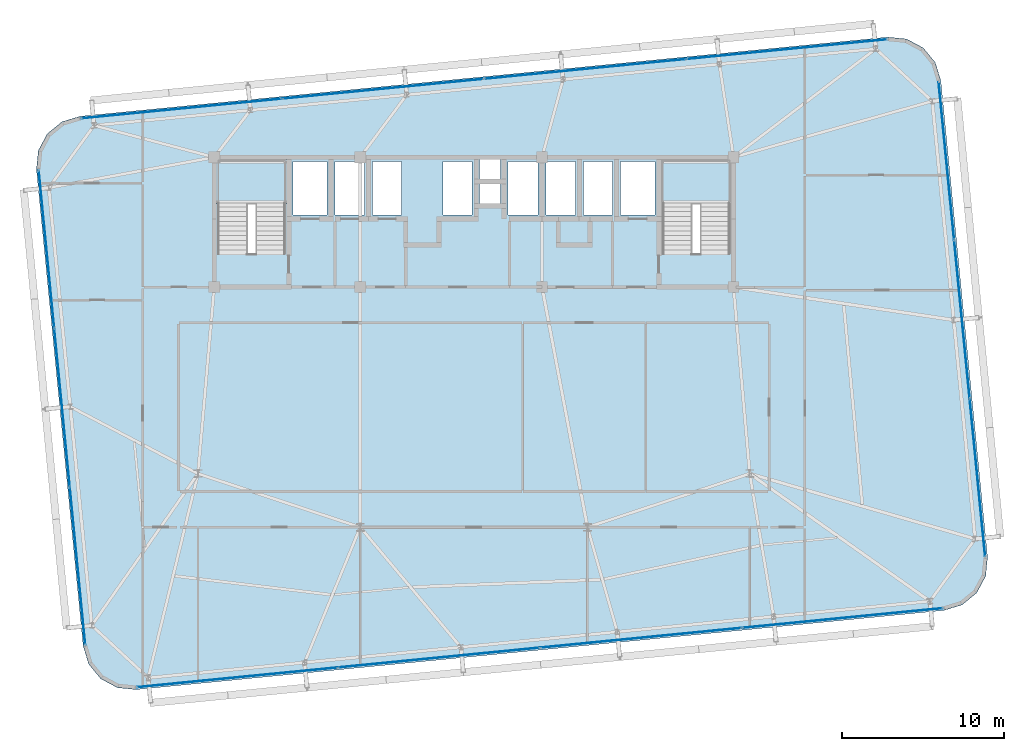
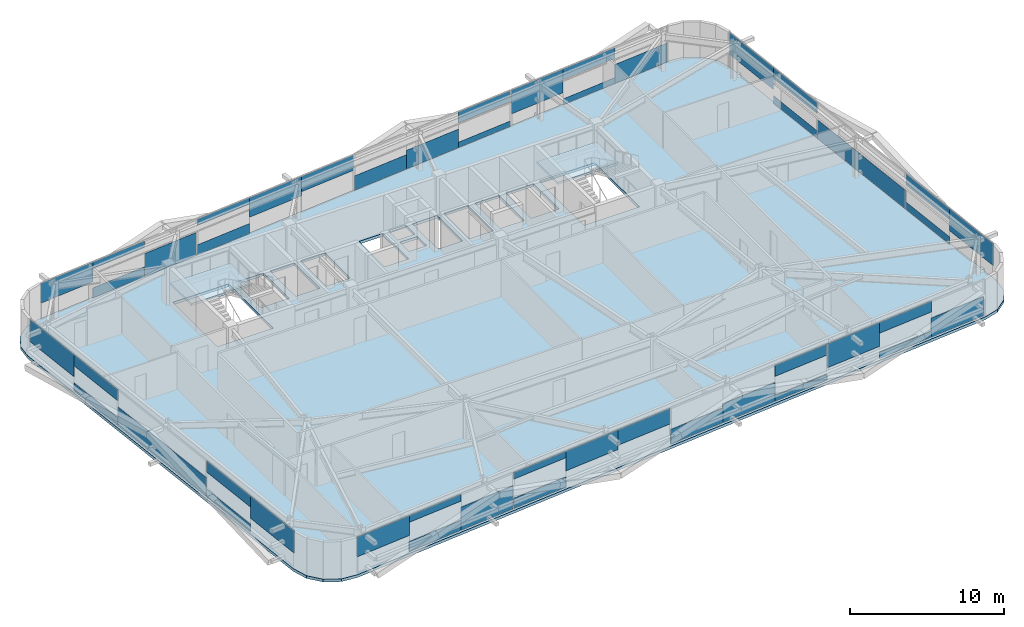
# One storey, part 32 of 47: 46 plates, 3 slabs, 6 elements without a shape of their own.
"""IFC4 building model written with IfcOpenShell, lengths in metres."""

import ifcopenshell
import ifcopenshell.guid

model = None  # the IFC model being written
_history = None  # IfcOwnerHistory: only IFC2X3 demands one
_inside = {}  # id of a spatial element -> (the spatial element, [elements in it])
_under = {}  # id of a project, library or spatial element -> (it, [spatial elements below it])
_declared = {}  # id of a project -> (the project, [libraries it declares])
_typed = {}  # id of a type object -> (the type object, [elements of that type])
_made_of = {}  # id of a material, layer set ... -> (it, [elements and type objects made of it])


def new_model(schema):
    """Start an empty IFC model of exactly this schema.

    Asked for "IFC4X3", IfcOpenShell would pick the latest addendum, in which some entities
    have other attributes; the version numbers below select the first issue.
    IFC2X3 requires an IfcOwnerHistory on every rooted entity: one is made here for all.
    """
    global model, _history
    if schema == "IFC4X3":
        model = ifcopenshell.file(schema_version=(4, 3, 0, 0))
    else:
        model = ifcopenshell.file(schema=schema)
    _inside.clear()
    _under.clear()
    _declared.clear()
    _typed.clear()
    _made_of.clear()
    _history = None
    if model.schema == "IFC2X3":
        org = make("IfcOrganization", Name="unknown")
        user = make(
            "IfcPersonAndOrganization",
            ThePerson=make("IfcPerson", FamilyName="unknown"),
            TheOrganization=org,
        )
        app = make(
            "IfcApplication",
            ApplicationDeveloper=org,
            Version="unknown",
            ApplicationFullName="unknown",
            ApplicationIdentifier="unknown",
        )
        _history = make(
            "IfcOwnerHistory",
            OwningUser=user,
            OwningApplication=app,
            ChangeAction="ADDED",
            CreationDate=0,
        )
    return model


def make(cls, **values):
    """One entity of the class cls with the attributes given. An attribute that is None is left unset."""
    return model.create_entity(
        cls, **{name: value for name, value in values.items() if value is not None}
    )


def rooted(cls, **values):
    """An entity with a GlobalId (a new one), such as an element, a storey or a relation."""
    return make(cls, GlobalId=ifcopenshell.guid.new(), OwnerHistory=_history, **values)


def si_unit(unit_type, name, prefix=None):
    """IfcSIUnit, for example si_unit("LENGTHUNIT", "METRE", prefix="MILLI")."""
    return make("IfcSIUnit", UnitType=unit_type, Prefix=prefix, Name=name)


def assignment(units):
    """IfcUnitAssignment: the units of a project."""
    return None if units is None else make("IfcUnitAssignment", Units=units)


def point(xyz):
    """IfcCartesianPoint."""
    return None if xyz is None else make("IfcCartesianPoint", Coordinates=xyz)


def direction(xyz):
    """IfcDirection."""
    return None if xyz is None else make("IfcDirection", DirectionRatios=xyz)


def frame(location, z_axis=None, x_axis=None):
    """IfcAxis2Placement3D, a coordinate frame: its origin and axes. An axis left out is left unset."""
    return make(
        "IfcAxis2Placement3D",
        Location=point(location),
        Axis=direction(z_axis),
        RefDirection=direction(x_axis),
    )


def frame_2d(location, x_axis=None):
    """IfcAxis2Placement2D, a coordinate frame in the plane: its origin and x axis."""
    return make(
        "IfcAxis2Placement2D", Location=point(location), RefDirection=direction(x_axis)
    )


def origin():
    """The frame at (0, 0, 0) with its axes left unset."""
    return frame((0.0, 0.0, 0.0))


def origin_2d():
    """The frame at (0, 0) in the plane with its x axis left unset."""
    return frame_2d((0.0, 0.0))


def place(relative_to, where):
    """IfcLocalPlacement: puts the frame where relative to a parent placement (None: the world)."""
    return make(
        "IfcLocalPlacement", PlacementRelTo=relative_to, RelativePlacement=where
    )


def context(
    kind, dimensions, precision=None, world=None, true_north=None, identifier=None
):
    """IfcGeometricRepresentationContext, for example the 3D "Model" context."""
    return make(
        "IfcGeometricRepresentationContext",
        ContextIdentifier=identifier,
        ContextType=kind,
        CoordinateSpaceDimension=dimensions,
        Precision=precision,
        WorldCoordinateSystem=world,
        TrueNorth=true_north,
    )


def subcontext(parent, identifier, kind, view, scale=None):
    """IfcGeometricRepresentationSubContext, for example "Body" below "Model"."""
    return make(
        "IfcGeometricRepresentationSubContext",
        ContextIdentifier=identifier,
        ContextType=kind,
        ParentContext=parent,
        TargetScale=scale,
        TargetView=view,
    )


def project(units=None, contexts=None):
    """IfcProject with its units and contexts."""
    return rooted(
        "IfcProject",
        Name="project",
        RepresentationContexts=contexts,
        UnitsInContext=assignment(units),
    )


def spatial(cls, under=None, at=None, **own):
    """A site, building, storey or space (cls), placed at a placement, below another one or the project."""
    s = rooted(cls, ObjectPlacement=at, **own)
    if under is not None:
        _under.setdefault(under.id(), (under, []))[1].append(s)
    return s


def polyline(points):
    """IfcPolyline through the points."""
    return make("IfcPolyline", Points=[point(p) for p in points])


def profile(cls, at=None, kind="AREA", **sizes):
    """A parametric profile (cls). Its sizes go by their IFC names, for example OverallWidth=200.0."""
    return make(cls, ProfileType=kind, Position=at, **sizes)


def rectangle(**sizes):
    """IfcRectangleProfileDef."""
    return profile("IfcRectangleProfileDef", **sizes)


def outline(outer, holes=None, kind="AREA"):
    """IfcArbitraryClosedProfileDef: a profile drawn as a closed curve; with holes, ...WithVoids."""
    if holes is None:
        return make("IfcArbitraryClosedProfileDef", ProfileType=kind, OuterCurve=outer)
    return make(
        "IfcArbitraryProfileDefWithVoids",
        ProfileType=kind,
        OuterCurve=outer,
        InnerCurves=holes,
    )


def extrude(swept, where, along, depth):
    """IfcExtrudedAreaSolid: the profile swept, set in the frame where, extruded along a direction by depth."""
    return make(
        "IfcExtrudedAreaSolid",
        SweptArea=swept,
        Position=where,
        ExtrudedDirection=direction(along),
        Depth=depth,
    )


def shape(context_of_items, identifier, shape_type, items):
    """IfcShapeRepresentation: the items that make up one representation, for example the "Body"."""
    return make(
        "IfcShapeRepresentation",
        ContextOfItems=context_of_items,
        RepresentationIdentifier=identifier,
        RepresentationType=shape_type,
        Items=items,
    )


def source(mapping_origin, context_of_items, identifier, shape_type, items):
    """IfcRepresentationMap: a shape defined once, which mapped items show again and again."""
    return make(
        "IfcRepresentationMap",
        MappingOrigin=mapping_origin,
        MappedRepresentation=shape(context_of_items, identifier, shape_type, items),
    )


def transform(
    local_origin,
    x_axis=None,
    y_axis=None,
    z_axis=None,
    scale=None,
    scale2=None,
    scale3=None,
    uniform=True,
):
    """IfcCartesianTransformationOperator3D, or its non-uniform kind. x_axis, y_axis, z_axis: its Axis1, 2, 3."""
    if uniform:
        return make(
            "IfcCartesianTransformationOperator3D",
            Axis1=direction(x_axis),
            Axis2=direction(y_axis),
            LocalOrigin=point(local_origin),
            Scale=scale,
            Axis3=direction(z_axis),
        )
    return make(
        "IfcCartesianTransformationOperator3DnonUniform",
        Axis1=direction(x_axis),
        Axis2=direction(y_axis),
        LocalOrigin=point(local_origin),
        Scale=scale,
        Axis3=direction(z_axis),
        Scale2=scale2,
        Scale3=scale3,
    )


def mapped(mapping_source, mapping_target):
    """IfcMappedItem: shows the shape of a source again, moved by a transform."""
    return make(
        "IfcMappedItem", MappingSource=mapping_source, MappingTarget=mapping_target
    )


def material(Name=None, Category=None):
    """IfcMaterial."""
    return make("IfcMaterial", Name=Name, Category=Category)


def layer(
    of_material, thickness, ventilated=None, Name=None, Category=None, Priority=None
):
    """IfcMaterialLayer: one layer of a wall or slab, of a material (None: an air gap)."""
    return make(
        "IfcMaterialLayer",
        Material=of_material,
        LayerThickness=thickness,
        IsVentilated=ventilated,
        Name=Name,
        Category=Category,
        Priority=Priority,
    )


def layer_set(layers, Name=None):
    """IfcMaterialLayerSet."""
    return make("IfcMaterialLayerSet", MaterialLayers=layers, LayerSetName=Name)


def made_of(thing, what):
    """Note that an element or type object is made of a material, layer set ...; save() writes the relation."""
    if what is not None:
        _made_of.setdefault(what.id(), (what, []))[1].append(thing)
    return thing


def type_object(cls, material=None, **own):
    """A type object (cls), such as IfcWallType, which elements share."""
    return made_of(rooted(cls, **own), material)


def element(
    cls,
    number,
    at=None,
    inside=None,
    cuts=None,
    type_object=None,
    material=None,
    context=None,
    identifier="Body",
    shape_type=None,
    held_by="IfcProductDefinitionShape",
    body=None,
    shapes=None,
    **own,
):
    """One element of the class cls, such as IfcWall. Its Tag is "e" and its number.

    at: its placement. inside: the storey or other place that contains it. cuts: it is an
    opening in that element (IfcRelVoidsElement). A single representation is given by context,
    identifier, shape_type and body (its items); several are given by shapes. held_by: the class
    of the entity that holds the representations. save() writes the other relations.
    """
    e = rooted(cls, Tag="e%d" % number, ObjectPlacement=at, **own)
    if body is not None:
        shapes = [shape(context, identifier, shape_type, body)]
    if shapes is not None:
        e.Representation = make(held_by, Representations=shapes)
    if inside is not None:
        _inside.setdefault(inside.id(), (inside, []))[1].append(e)
    if cuts is not None:
        rooted(
            "IfcRelVoidsElement", RelatingBuildingElement=cuts, RelatedOpeningElement=e
        )
    if type_object is not None:
        _typed.setdefault(type_object.id(), (type_object, []))[1].append(e)
    return made_of(e, material)


def aggregate(whole, parts):
    """IfcRelAggregates: a whole, such as a stair, and the parts it consists of."""
    return rooted("IfcRelAggregates", RelatingObject=whole, RelatedObjects=parts)


def save(model, path):
    """Write the relations noted so far, then the file.

    IfcRelAggregates (storeys below a building ...), IfcRelContainedInSpatialStructure (elements
    in a storey), IfcRelDefinesByType, IfcRelAssociatesMaterial and IfcRelDeclares: one each for
    every whole, place, type object, material and project.
    """
    for whole, parts in _under.values():
        aggregate(whole, parts)
    for where, things in _inside.values():
        rooted(
            "IfcRelContainedInSpatialStructure",
            RelatedElements=things,
            RelatingStructure=where,
        )
    for kind, things in _typed.values():
        rooted("IfcRelDefinesByType", RelatedObjects=things, RelatingType=kind)
    for what, things in _made_of.values():
        rooted("IfcRelAssociatesMaterial", RelatedObjects=things, RelatingMaterial=what)
    for by, libraries in _declared.values():
        rooted("IfcRelDeclares", RelatingContext=by, RelatedDefinitions=libraries)
    model.write(path)


model = new_model("IFC4")

# Units and contexts
model_context = context("Model", 3, precision=1e-05, world=origin(), true_north=direction((0.0, 1.0)))
body_context = subcontext(model_context, "Body", "Model", "MODEL_VIEW")
ifc_project = project(units=[si_unit("LENGTHUNIT", "METRE"), si_unit("AREAUNIT", "SQUARE_METRE"), si_unit("VOLUMEUNIT", "CUBIC_METRE"), si_unit("PLANEANGLEUNIT", "RADIAN"), si_unit("MASSUNIT", "GRAM", prefix="KILO")], contexts=[model_context])

# Site, building, storey
site_placement = place(None, origin())
site = spatial("IfcSite", under=ifc_project, at=site_placement, CompositionType="ELEMENT")
building_placement = place(site_placement, origin())
building = spatial("IfcBuilding", under=site, at=building_placement, Name="Taldren Reach Tower", CompositionType="ELEMENT")
storey_placement = place(building_placement, frame((0.0, 0.0, 106.050048828125)))
storey = spatial("IfcBuildingStorey", under=building, at=storey_placement, Name="L32", CompositionType="ELEMENT", Elevation=106.050048828125)

# Slab
ifc_material_1 = material(Name="Concrete N40 (40 MPa)", Category="concrete")
ifc_layer_1 = layer(ifc_material_1, 0.219970703125)
ifc_layer_set_1 = layer_set([ifc_layer_1], Name="Concrete N40 (40 MPa)")
slab_type_1 = type_object("IfcSlabType", Name="SL-FLR-220", PredefinedType="FLOOR", material=ifc_layer_set_1)
slab_1_placement = place(storey_placement, frame((0.0, 0.0, -0.219970703125)))
element("IfcSlab", 1, at=slab_1_placement, inside=storey, type_object=slab_type_1, Name="Suspended floor slab L32", PredefinedType="FLOOR", context=body_context, shape_type="SweptSolid", body=[
    extrude(outline(polyline([(63.962890625, 4.07421875), (65.0830078125, 4.41357421875), (65.98828125, 5.15576171875), (66.54052734375, 6.187744140625), (66.65576171875, 7.352783203125), (63.777099609375, 36.7119140625), (63.437744140625, 37.832275390625), (62.695556640625, 38.7373046875), (61.663330078125, 39.28955078125), (60.49853515625, 39.40478515625), (10.7373046875, 34.525634765625), (9.616943359375, 34.1865234375), (8.711669921875, 33.4443359375), (8.159423828125, 32.412109375), (8.044189453125, 31.247314453125), (10.923095703125, 1.88818359375), (11.26220703125, 0.767822265625), (12.00439453125, -0.137451171875), (13.03662109375, -0.689697265625), (14.201416015625, -0.804931640625), (63.962890625, 4.07421875)]), holes=[polyline([(19.219970703125, 26.050048828125), (23.3798828125, 26.050048828125), (23.3798828125, 31.820068359375), (19.219970703125, 31.820068359375), (19.219970703125, 26.050048828125)]), polyline([(46.6201171875, 26.050048828125), (50.780029296875, 26.050048828125), (50.780029296875, 31.820068359375), (46.6201171875, 31.820068359375), (46.6201171875, 26.050048828125)]), polyline([(23.85009765625, 28.449951171875), (25.949951171875, 28.449951171875), (25.949951171875, 31.75), (23.85009765625, 31.75), (23.85009765625, 28.449951171875)]), polyline([(44.050048828125, 28.449951171875), (46.14990234375, 28.449951171875), (46.14990234375, 31.75), (44.050048828125, 31.75), (44.050048828125, 28.449951171875)]), polyline([(26.449951171875, 28.449951171875), (28.25, 28.449951171875), (28.25, 31.75), (26.449951171875, 31.75), (26.449951171875, 28.449951171875)]), polyline([(28.75, 28.449951171875), (30.550048828125, 28.449951171875), (30.550048828125, 31.75), (28.75, 31.75), (28.75, 28.449951171875)]), polyline([(33.10009765625, 28.449951171875), (34.89990234375, 28.449951171875), (34.89990234375, 31.75), (33.10009765625, 31.75), (33.10009765625, 28.449951171875)]), polyline([(37.10009765625, 28.449951171875), (38.949951171875, 28.449951171875), (38.949951171875, 31.75), (37.10009765625, 31.75), (37.10009765625, 28.449951171875)]), polyline([(39.449951171875, 28.449951171875), (41.25, 28.449951171875), (41.25, 31.75), (39.449951171875, 31.75), (39.449951171875, 28.449951171875)]), polyline([(41.75, 28.449951171875), (43.550048828125, 28.449951171875), (43.550048828125, 31.75), (41.75, 31.75), (41.75, 28.449951171875)]), polyline([(35.35009765625, 30.64990234375), (36.64990234375, 30.64990234375), (36.64990234375, 31.85009765625), (35.35009765625, 31.85009765625), (35.35009765625, 30.64990234375)]), polyline([(35.35009765625, 29.14990234375), (36.64990234375, 29.14990234375), (36.64990234375, 30.35009765625), (35.35009765625, 30.35009765625), (35.35009765625, 29.14990234375)])]), origin(), (0.0, 0.0, 1.0), 0.219970703125),
])

# Stair, slab
ifc_material_2 = material(Name="Concrete S50 (50 MPa)", Category="concrete")
stair_type = type_object("IfcStairType", Name="ST-HT-315", PredefinedType="HALF_TURN_STAIR", material=ifc_material_2)
stair_1_placement = place(storey_placement, origin())
stair_1 = element("IfcStair", 2, at=stair_1_placement, inside=storey, type_object=stair_type, Name="Fire-isolated exit stair ST1 L32", PredefinedType="HALF_TURN_STAIR")
ifc_layer_2 = layer(ifc_material_2, 0.179931640625)
ifc_layer_set_2 = layer_set([ifc_layer_2], Name="Concrete S50 (50 MPa)")
slab_type_2 = type_object("IfcSlabType", Name="SL-LAND-180", PredefinedType="LANDING", material=ifc_layer_set_2)
slab_2_placement = place(storey_placement, frame((0.0, 0.0, 1.39501953125)))
slab_2 = element("IfcSlab", 3, at=slab_2_placement, type_object=slab_type_2, Name="ST1 landing 1", PredefinedType="LANDING", context=body_context, shape_type="SweptSolid", body=[
    extrude(outline(polyline([(19.0400390625, 29.135009765625), (23.56005859375, 29.135009765625), (23.56005859375, 31.8701171875), (19.0400390625, 31.8701171875), (19.0400390625, 29.135009765625)])), origin(), (0.0, 0.0, 1.0), 0.179931640625),
])
aggregate(stair_1, [slab_2])

stair_2_placement = place(storey_placement, origin())
stair_2 = element("IfcStair", 4, at=stair_2_placement, inside=storey, type_object=stair_type, Name="Fire-isolated exit stair ST2 L32", PredefinedType="HALF_TURN_STAIR")
slab_3_placement = place(storey_placement, frame((0.0, 0.0, 1.39501953125)))
slab_3 = element("IfcSlab", 5, at=slab_3_placement, type_object=slab_type_2, Name="ST2 landing 1", PredefinedType="LANDING", context=body_context, shape_type="SweptSolid", body=[
    extrude(outline(polyline([(46.43994140625, 29.135009765625), (50.9599609375, 29.135009765625), (50.9599609375, 31.8701171875), (46.43994140625, 31.8701171875), (46.43994140625, 29.135009765625)])), origin(), (0.0, 0.0, 1.0), 0.179931640625),
])
aggregate(stair_2, [slab_3])

# Curtain wall, plate
ifc_material_3 = material(Name="Aluminium and Low-E Glass Unitised System", Category="aluminium")
ifc_layer_3 = layer(ifc_material_3, 0.159912109375)
ifc_layer_set_3 = layer_set([ifc_layer_3], Name="Aluminium and Low-E Glass Unitised System")
curtain_wall_type = type_object("IfcCurtainWallType", Name="CW-SYS-3", PredefinedType="NOTDEFINED", material=ifc_layer_set_3)
curtain_wall_1_placement = place(storey_placement, origin())
curtain_wall_1 = element("IfcCurtainWall", 6, at=curtain_wall_1_placement, inside=storey, type_object=curtain_wall_type, Name="Unitised curtain wall CW-L32-S", PredefinedType="NOTDEFINED")
ifc_material_4 = material(Name="Solar-Control Double Glazed IGU", Category="glass")
ifc_layer_4 = layer(ifc_material_4, 0.031982421875)
ifc_layer_set_4 = layer_set([ifc_layer_4], Name="Solar-Control Double Glazed IGU")
plate_type = type_object("IfcPlateType", Name="CW-PNL-IGU32", PredefinedType="CURTAIN_PANEL", material=ifc_layer_set_4)
shared_shape_1 = source(origin(), body_context, "Body", "SweptSolid", [
    extrude(rectangle(XDim=4.13427734375, YDim=0.031982421875, at=origin_2d()), origin(), (0.0, 0.0, 1.0), 1.5595703125),
])
plate_1_placement = place(storey_placement, frame((16.3095703125, -0.45751953125, 1.3154296875), z_axis=(0.0, 0.0, 1.0), x_axis=(0.995227390247, 0.097582999046, 0.0)))
plate_1 = element("IfcPlate", 7, at=plate_1_placement, type_object=plate_type, Name="CW-3 panel 1.1 part 1", PredefinedType="CURTAIN_PANEL", context=body_context, shape_type="MappedRepresentation", body=[
    mapped(shared_shape_1, transform((0.0, 0.0, 0.0), scale=1.0)),
])

curtain_wall_2_placement = place(storey_placement, origin())
curtain_wall_2 = element("IfcCurtainWall", 8, at=curtain_wall_2_placement, inside=storey, type_object=curtain_wall_type, Name="Unitised curtain wall CW-L32-N", PredefinedType="NOTDEFINED")
plate_2_placement = place(storey_placement, frame((12.872802734375, 34.594482421875, 1.3154296875), z_axis=(0.0, 0.0, 1.0), x_axis=(-0.995227390247, -0.097582999046, 0.0)))
plate_2 = element("IfcPlate", 9, at=plate_2_placement, type_object=plate_type, Name="CW-3 panel 4.1 part 4", PredefinedType="CURTAIN_PANEL", context=body_context, shape_type="MappedRepresentation", body=[
    mapped(shared_shape_1, transform((0.0, 0.0, 0.0), scale=1.0)),
])

# Plate
shared_shape_2 = source(origin(), body_context, "Body", "SweptSolid", [
    extrude(rectangle(XDim=4.13427734375, YDim=0.031982421875, at=origin_2d()), origin(), (0.0, 0.0, 1.0), 0.776123046875),
])
plate_3_placement = place(storey_placement, frame((20.424072265625, -0.053955078125, 0.05517578125), z_axis=(0.0, 0.0, 1.0), x_axis=(0.995227390247, 0.097582999046, 0.0)))
plate_3 = element("IfcPlate", 10, at=plate_3_placement, type_object=plate_type, Name="CW-3 panel 1.1 part 2", PredefinedType="CURTAIN_PANEL", context=body_context, shape_type="MappedRepresentation", body=[
    mapped(shared_shape_2, transform((0.0, 0.0, 0.0), scale=1.0)),
])

plate_4_placement = place(storey_placement, frame((16.9873046875, 34.997802734375, 0.05517578125), z_axis=(0.0, 0.0, 1.0), x_axis=(-0.995227390247, -0.097582999046, 0.0)))
plate_4 = element("IfcPlate", 11, at=plate_4_placement, type_object=plate_type, Name="CW-3 panel 4.1 part 2", PredefinedType="CURTAIN_PANEL", context=body_context, shape_type="MappedRepresentation", body=[
    mapped(shared_shape_2, transform((0.0, 0.0, 0.0), scale=1.0)),
])

shared_shape_3 = source(origin(), body_context, "Body", "SweptSolid", [
    extrude(rectangle(XDim=4.13427734375, YDim=0.031982421875, at=origin_2d()), origin(), (0.0, 0.0, 1.0), 0.521728515625),
])
plate_5_placement = place(storey_placement, frame((20.424072265625, -0.053955078125, 2.35302734375), z_axis=(0.0, 0.0, 1.0), x_axis=(0.995227390247, 0.097582999046, 0.0)))
plate_5 = element("IfcPlate", 12, at=plate_5_placement, type_object=plate_type, Name="CW-3 panel 1.1 part 3", PredefinedType="CURTAIN_PANEL", context=body_context, shape_type="MappedRepresentation", body=[
    mapped(shared_shape_3, transform((0.0, 0.0, 0.0), scale=1.0)),
])

plate_6_placement = place(storey_placement, frame((16.9873046875, 34.997802734375, 2.35302734375), z_axis=(0.0, 0.0, 1.0), x_axis=(-0.995227390247, -0.097582999046, 0.0)))
plate_6 = element("IfcPlate", 13, at=plate_6_placement, type_object=plate_type, Name="CW-3 panel 4.1 part 3", PredefinedType="CURTAIN_PANEL", context=body_context, shape_type="MappedRepresentation", body=[
    mapped(shared_shape_3, transform((0.0, 0.0, 0.0), scale=1.0)),
])

shared_shape_4 = source(origin(), body_context, "Body", "SweptSolid", [
    extrude(rectangle(XDim=4.13427734375, YDim=0.031982421875, at=origin_2d()), origin(), (0.0, 0.0, 1.0), 1.81396484375),
])
plate_7_placement = place(storey_placement, frame((24.53857421875, 0.349365234375, 0.054931640625), z_axis=(0.0, 0.0, 1.0), x_axis=(0.995227390247, 0.097582999046, 0.0)))
plate_7 = element("IfcPlate", 14, at=plate_7_placement, type_object=plate_type, Name="CW-3 panel 1.1 part 4", PredefinedType="CURTAIN_PANEL", context=body_context, shape_type="MappedRepresentation", body=[
    mapped(shared_shape_4, transform((0.0, 0.0, 0.0), scale=1.0)),
])

plate_8_placement = place(storey_placement, frame((21.1015625, 35.4013671875, 0.054931640625), z_axis=(0.0, 0.0, 1.0), x_axis=(-0.995227390247, -0.097582999046, 0.0)))
plate_8 = element("IfcPlate", 15, at=plate_8_placement, type_object=plate_type, Name="CW-3 panel 4.1 part 1", PredefinedType="CURTAIN_PANEL", context=body_context, shape_type="MappedRepresentation", body=[
    mapped(shared_shape_4, transform((0.0, 0.0, 0.0), scale=1.0)),
])

shared_shape_5 = source(origin(), body_context, "Body", "SweptSolid", [
    extrude(rectangle(XDim=4.14501953125, YDim=0.031982421875, at=origin_2d()), origin(), (0.0, 0.0, 1.0), 0.797119140625),
])
plate_9_placement = place(storey_placement, frame((28.72314453125, 0.759765625, 0.05517578125), z_axis=(0.0, 0.0, 1.0), x_axis=(0.995227390247, 0.097582999046, 0.0)))
plate_9 = element("IfcPlate", 16, at=plate_9_placement, type_object=plate_type, Name="CW-3 panel 2.1 part 1", PredefinedType="CURTAIN_PANEL", context=body_context, shape_type="MappedRepresentation", body=[
    mapped(shared_shape_5, transform((0.0, 0.0, 0.0), scale=1.0)),
])

plate_10_placement = place(storey_placement, frame((25.2861328125, 35.8115234375, 0.05517578125), z_axis=(0.0, 0.0, 1.0), x_axis=(-0.995227390247, -0.097582999046, 0.0)))
plate_10 = element("IfcPlate", 17, at=plate_10_placement, type_object=plate_type, Name="CW-3 panel 3.1 part 3", PredefinedType="CURTAIN_PANEL", context=body_context, shape_type="MappedRepresentation", body=[
    mapped(shared_shape_5, transform((0.0, 0.0, 0.0), scale=1.0)),
])

shared_shape_6 = source(origin(), body_context, "Body", "SweptSolid", [
    extrude(rectangle(XDim=4.14501953125, YDim=0.031982421875, at=origin_2d()), origin(), (0.0, 0.0, 1.0), 0.498046875),
])
plate_11_placement = place(storey_placement, frame((28.72314453125, 0.759765625, 2.376953125), z_axis=(0.0, 0.0, 1.0), x_axis=(0.995227390247, 0.097582999046, 0.0)))
plate_11 = element("IfcPlate", 18, at=plate_11_placement, type_object=plate_type, Name="CW-3 panel 2.1 part 2", PredefinedType="CURTAIN_PANEL", context=body_context, shape_type="MappedRepresentation", body=[
    mapped(shared_shape_6, transform((0.0, 0.0, 0.0), scale=1.0)),
])

plate_12_placement = place(storey_placement, frame((25.2861328125, 35.8115234375, 2.376953125), z_axis=(0.0, 0.0, 1.0), x_axis=(-0.995227390247, -0.097582999046, 0.0)))
plate_12 = element("IfcPlate", 19, at=plate_12_placement, type_object=plate_type, Name="CW-3 panel 3.1 part 4", PredefinedType="CURTAIN_PANEL", context=body_context, shape_type="MappedRepresentation", body=[
    mapped(shared_shape_6, transform((0.0, 0.0, 0.0), scale=1.0)),
])

shared_shape_7 = source(origin(), body_context, "Body", "SweptSolid", [
    extrude(rectangle(XDim=4.14501953125, YDim=0.031982421875, at=origin_2d()), origin(), (0.0, 0.0, 1.0), 1.53857421875),
])
plate_13_placement = place(storey_placement, frame((32.84814453125, 1.1640625, 1.33642578125), z_axis=(0.0, 0.0, 1.0), x_axis=(0.995227390247, 0.097582999046, 0.0)))
plate_13 = element("IfcPlate", 20, at=plate_13_placement, type_object=plate_type, Name="CW-3 panel 2.1 part 3", PredefinedType="CURTAIN_PANEL", context=body_context, shape_type="MappedRepresentation", body=[
    mapped(shared_shape_7, transform((0.0, 0.0, 0.0), scale=1.0)),
])

plate_14_placement = place(storey_placement, frame((29.411376953125, 36.216064453125, 1.33642578125), z_axis=(0.0, 0.0, 1.0), x_axis=(-0.995227390247, -0.097582999046, 0.0)))
plate_14 = element("IfcPlate", 21, at=plate_14_placement, type_object=plate_type, Name="CW-3 panel 3.1 part 2", PredefinedType="CURTAIN_PANEL", context=body_context, shape_type="MappedRepresentation", body=[
    mapped(shared_shape_7, transform((0.0, 0.0, 0.0), scale=1.0)),
])

shared_shape_8 = source(origin(), body_context, "Body", "SweptSolid", [
    extrude(rectangle(XDim=4.14501953125, YDim=0.031982421875, at=origin_2d()), origin(), (0.0, 0.0, 1.0), 1.2060546875),
])
plate_15_placement = place(storey_placement, frame((36.973388671875, 1.568603515625, 1.6689453125), z_axis=(0.0, 0.0, 1.0), x_axis=(0.995227390247, 0.097582999046, 0.0)))
plate_15 = element("IfcPlate", 22, at=plate_15_placement, type_object=plate_type, Name="CW-3 panel 2.1 part 4", PredefinedType="CURTAIN_PANEL", context=body_context, shape_type="MappedRepresentation", body=[
    mapped(shared_shape_8, transform((0.0, 0.0, 0.0), scale=1.0)),
])

plate_16_placement = place(storey_placement, frame((33.53662109375, 36.62060546875, 1.6689453125), z_axis=(0.0, 0.0, 1.0), x_axis=(-0.995227390247, -0.097582999046, 0.0)))
plate_16 = element("IfcPlate", 23, at=plate_16_placement, type_object=plate_type, Name="CW-3 panel 3.1 part 1", PredefinedType="CURTAIN_PANEL", context=body_context, shape_type="MappedRepresentation", body=[
    mapped(shared_shape_8, transform((0.0, 0.0, 0.0), scale=1.0)),
])

shared_shape_9 = source(origin(), body_context, "Body", "SweptSolid", [
    extrude(rectangle(XDim=4.14501953125, YDim=0.031982421875, at=origin_2d()), origin(), (0.0, 0.0, 1.0), 1.14599609375),
])
plate_17_placement = place(storey_placement, frame((41.163330078125, 1.9794921875, 0.054931640625), z_axis=(0.0, 0.0, 1.0), x_axis=(0.995227390247, 0.097582999046, 0.0)))
plate_17 = element("IfcPlate", 24, at=plate_17_placement, type_object=plate_type, Name="CW-3 panel 3.1 part 1", PredefinedType="CURTAIN_PANEL", context=body_context, shape_type="MappedRepresentation", body=[
    mapped(shared_shape_9, transform((0.0, 0.0, 0.0), scale=1.0)),
])

plate_18_placement = place(storey_placement, frame((37.7265625, 37.03125, 0.054931640625), z_axis=(0.0, 0.0, 1.0), x_axis=(-0.995227390247, -0.097582999046, 0.0)))
plate_18 = element("IfcPlate", 25, at=plate_18_placement, type_object=plate_type, Name="CW-3 panel 2.1 part 4", PredefinedType="CURTAIN_PANEL", context=body_context, shape_type="MappedRepresentation", body=[
    mapped(shared_shape_9, transform((0.0, 0.0, 0.0), scale=1.0)),
])

shared_shape_10 = source(origin(), body_context, "Body", "SweptSolid", [
    extrude(rectangle(XDim=4.14501953125, YDim=0.031982421875, at=origin_2d()), origin(), (0.0, 0.0, 1.0), 1.478759765625),
])
plate_19_placement = place(storey_placement, frame((45.28857421875, 2.384033203125, 0.0546875), z_axis=(0.0, 0.0, 1.0), x_axis=(0.995227390247, 0.097582999046, 0.0)))
plate_19 = element("IfcPlate", 26, at=plate_19_placement, type_object=plate_type, Name="CW-3 panel 3.1 part 2", PredefinedType="CURTAIN_PANEL", context=body_context, shape_type="MappedRepresentation", body=[
    mapped(shared_shape_10, transform((0.0, 0.0, 0.0), scale=1.0)),
])

plate_20_placement = place(storey_placement, frame((41.851806640625, 37.435791015625, 0.0546875), z_axis=(0.0, 0.0, 1.0), x_axis=(-0.995227390247, -0.097582999046, 0.0)))
plate_20 = element("IfcPlate", 27, at=plate_20_placement, type_object=plate_type, Name="CW-3 panel 2.1 part 3", PredefinedType="CURTAIN_PANEL", context=body_context, shape_type="MappedRepresentation", body=[
    mapped(shared_shape_10, transform((0.0, 0.0, 0.0), scale=1.0)),
])

shared_shape_11 = source(origin(), body_context, "Body", "SweptSolid", [
    extrude(rectangle(XDim=4.14501953125, YDim=0.031982421875, at=origin_2d()), origin(), (0.0, 0.0, 1.0), 0.43798828125),
])
plate_21_placement = place(storey_placement, frame((49.413818359375, 2.788330078125, 0.054931640625), z_axis=(0.0, 0.0, 1.0), x_axis=(0.995227390247, 0.097582999046, 0.0)))
plate_21 = element("IfcPlate", 28, at=plate_21_placement, type_object=plate_type, Name="CW-3 panel 3.1 part 3", PredefinedType="CURTAIN_PANEL", context=body_context, shape_type="MappedRepresentation", body=[
    mapped(shared_shape_11, transform((0.0, 0.0, 0.0), scale=1.0)),
])

plate_22_placement = place(storey_placement, frame((45.97705078125, 37.84033203125, 0.054931640625), z_axis=(0.0, 0.0, 1.0), x_axis=(-0.995227390247, -0.097582999046, 0.0)))
plate_22 = element("IfcPlate", 29, at=plate_22_placement, type_object=plate_type, Name="CW-3 panel 2.1 part 1", PredefinedType="CURTAIN_PANEL", context=body_context, shape_type="MappedRepresentation", body=[
    mapped(shared_shape_11, transform((0.0, 0.0, 0.0), scale=1.0)),
])

shared_shape_12 = source(origin(), body_context, "Body", "SweptSolid", [
    extrude(rectangle(XDim=4.14501953125, YDim=0.031982421875, at=origin_2d()), origin(), (0.0, 0.0, 1.0), 0.857177734375),
])
plate_23_placement = place(storey_placement, frame((49.413818359375, 2.788330078125, 2.017578125), z_axis=(0.0, 0.0, 1.0), x_axis=(0.995227390247, 0.097582999046, 0.0)))
plate_23 = element("IfcPlate", 30, at=plate_23_placement, type_object=plate_type, Name="CW-3 panel 3.1 part 4", PredefinedType="CURTAIN_PANEL", context=body_context, shape_type="MappedRepresentation", body=[
    mapped(shared_shape_12, transform((0.0, 0.0, 0.0), scale=1.0)),
])

plate_24_placement = place(storey_placement, frame((45.97705078125, 37.84033203125, 2.017578125), z_axis=(0.0, 0.0, 1.0), x_axis=(-0.995227390247, -0.097582999046, 0.0)))
plate_24 = element("IfcPlate", 31, at=plate_24_placement, type_object=plate_type, Name="CW-3 panel 2.1 part 2", PredefinedType="CURTAIN_PANEL", context=body_context, shape_type="MappedRepresentation", body=[
    mapped(shared_shape_12, transform((0.0, 0.0, 0.0), scale=1.0)),
])

shared_shape_13 = source(origin(), body_context, "Body", "SweptSolid", [
    extrude(rectangle(XDim=4.13427734375, YDim=0.031982421875, at=origin_2d()), origin(), (0.0, 0.0, 1.0), 1.8740234375),
])
plate_25_placement = place(storey_placement, frame((53.598388671875, 3.19873046875, 1.0009765625), z_axis=(0.0, 0.0, 1.0), x_axis=(0.995227390247, 0.097582999046, 0.0)))
plate_25 = element("IfcPlate", 32, at=plate_25_placement, type_object=plate_type, Name="CW-3 panel 4.1 part 1", PredefinedType="CURTAIN_PANEL", context=body_context, shape_type="MappedRepresentation", body=[
    mapped(shared_shape_13, transform((0.0, 0.0, 0.0), scale=1.0)),
])

plate_26_placement = place(storey_placement, frame((50.161376953125, 38.250732421875, 1.0009765625), z_axis=(0.0, 0.0, 1.0), x_axis=(-0.995227390247, -0.097582999046, 0.0)))
plate_26 = element("IfcPlate", 33, at=plate_26_placement, type_object=plate_type, Name="CW-3 panel 1.1 part 4", PredefinedType="CURTAIN_PANEL", context=body_context, shape_type="MappedRepresentation", body=[
    mapped(shared_shape_13, transform((0.0, 0.0, 0.0), scale=1.0)),
])

shared_shape_14 = source(origin(), body_context, "Body", "SweptSolid", [
    extrude(rectangle(XDim=4.13427734375, YDim=0.031982421875, at=origin_2d()), origin(), (0.0, 0.0, 1.0), 0.461669921875),
])
plate_27_placement = place(storey_placement, frame((57.712890625, 3.60205078125, 0.05517578125), z_axis=(0.0, 0.0, 1.0), x_axis=(0.995227390247, 0.097582999046, 0.0)))
plate_27 = element("IfcPlate", 34, at=plate_27_placement, type_object=plate_type, Name="CW-3 panel 4.1 part 2", PredefinedType="CURTAIN_PANEL", context=body_context, shape_type="MappedRepresentation", body=[
    mapped(shared_shape_14, transform((0.0, 0.0, 0.0), scale=1.0)),
])

plate_28_placement = place(storey_placement, frame((54.27587890625, 38.654052734375, 0.05517578125), z_axis=(0.0, 0.0, 1.0), x_axis=(-0.995227390247, -0.097582999046, 0.0)))
plate_28 = element("IfcPlate", 35, at=plate_28_placement, type_object=plate_type, Name="CW-3 panel 1.1 part 2", PredefinedType="CURTAIN_PANEL", context=body_context, shape_type="MappedRepresentation", body=[
    mapped(shared_shape_14, transform((0.0, 0.0, 0.0), scale=1.0)),
])

shared_shape_15 = source(origin(), body_context, "Body", "SweptSolid", [
    extrude(rectangle(XDim=4.13427734375, YDim=0.031982421875, at=origin_2d()), origin(), (0.0, 0.0, 1.0), 0.836181640625),
])
plate_29_placement = place(storey_placement, frame((57.712890625, 3.60205078125, 2.03857421875), z_axis=(0.0, 0.0, 1.0), x_axis=(0.995227390247, 0.097582999046, 0.0)))
plate_29 = element("IfcPlate", 36, at=plate_29_placement, type_object=plate_type, Name="CW-3 panel 4.1 part 3", PredefinedType="CURTAIN_PANEL", context=body_context, shape_type="MappedRepresentation", body=[
    mapped(shared_shape_15, transform((0.0, 0.0, 0.0), scale=1.0)),
])

plate_30_placement = place(storey_placement, frame((54.27587890625, 38.654052734375, 2.03857421875), z_axis=(0.0, 0.0, 1.0), x_axis=(-0.995227390247, -0.097582999046, 0.0)))
plate_30 = element("IfcPlate", 37, at=plate_30_placement, type_object=plate_type, Name="CW-3 panel 1.1 part 3", PredefinedType="CURTAIN_PANEL", context=body_context, shape_type="MappedRepresentation", body=[
    mapped(shared_shape_15, transform((0.0, 0.0, 0.0), scale=1.0)),
])

shared_shape_16 = source(origin(), body_context, "Body", "SweptSolid", [
    extrude(rectangle(XDim=4.13427734375, YDim=0.031982421875, at=origin_2d()), origin(), (0.0, 0.0, 1.0), 1.49951171875),
])
plate_31_placement = place(storey_placement, frame((61.8271484375, 4.005615234375, 0.054931640625), z_axis=(0.0, 0.0, 1.0), x_axis=(0.995227390247, 0.097582999046, 0.0)))
plate_31 = element("IfcPlate", 38, at=plate_31_placement, type_object=plate_type, Name="CW-3 panel 4.1 part 4", PredefinedType="CURTAIN_PANEL", context=body_context, shape_type="MappedRepresentation", body=[
    mapped(shared_shape_16, transform((0.0, 0.0, 0.0), scale=1.0)),
])

aggregate(curtain_wall_1, [plate_1, plate_3, plate_5, plate_7, plate_9, plate_11, plate_13, plate_15, plate_17, plate_19, plate_21, plate_23, plate_25, plate_27, plate_29, plate_31])

plate_32_placement = place(storey_placement, frame((58.390380859375, 39.057373046875, 0.054931640625), z_axis=(0.0, 0.0, 1.0), x_axis=(-0.995227390247, -0.097582999046, 0.0)))
plate_32 = element("IfcPlate", 39, at=plate_32_placement, type_object=plate_type, Name="CW-3 panel 1.1 part 1", PredefinedType="CURTAIN_PANEL", context=body_context, shape_type="MappedRepresentation", body=[
    mapped(shared_shape_16, transform((0.0, 0.0, 0.0), scale=1.0)),
])

aggregate(curtain_wall_2, [plate_32, plate_28, plate_30, plate_26, plate_22, plate_24, plate_20, plate_18, plate_16, plate_14, plate_10, plate_12, plate_8, plate_4, plate_6, plate_2])

# Curtain wall, plates
curtain_wall_3_placement = place(storey_placement, origin())
curtain_wall_3 = element("IfcCurtainWall", 40, at=curtain_wall_3_placement, inside=storey, type_object=curtain_wall_type, Name="Unitised curtain wall CW-L32-W", PredefinedType="NOTDEFINED")
shared_shape_17 = source(origin(), body_context, "Body", "SweptSolid", [
    extrude(rectangle(XDim=4.867919921875, YDim=0.031982421875, at=origin_2d()), origin(), (0.0, 0.0, 1.0), 1.746826171875),
])
plate_33_placement = place(storey_placement, frame((8.427490234375, 28.77392578125, 1.1279296875), z_axis=(0.0, 0.0, 1.0), x_axis=(0.09758274098, -0.99522741555, 0.0)))
plate_33 = element("IfcPlate", 41, at=plate_33_placement, type_object=plate_type, Name="CW-3 panel 1.1 part 1", PredefinedType="CURTAIN_PANEL", context=body_context, shape_type="MappedRepresentation", body=[
    mapped(shared_shape_17, transform((0.0, 0.0, 0.0), scale=1.0)),
])
plate_34_placement = place(storey_placement, frame((10.818359375, 4.388671875, 1.1279296875), z_axis=(0.0, 0.0, 1.0), x_axis=(0.09758274098, -0.99522741555, 0.0)))
plate_34 = element("IfcPlate", 42, at=plate_34_placement, type_object=plate_type, Name="CW-3 panel 3.1 part 3", PredefinedType="CURTAIN_PANEL", context=body_context, shape_type="MappedRepresentation", body=[
    mapped(shared_shape_17, transform((0.0, 0.0, 0.0), scale=1.0)),
])

curtain_wall_4_placement = place(storey_placement, origin())
curtain_wall_4 = element("IfcCurtainWall", 43, at=curtain_wall_4_placement, inside=storey, type_object=curtain_wall_type, Name="Unitised curtain wall CW-L32-E", PredefinedType="NOTDEFINED")
plate_35_placement = place(storey_placement, frame((66.2724609375, 9.826171875, 1.1279296875), z_axis=(0.0, 0.0, 1.0), x_axis=(-0.09758274098, 0.99522741555, 0.0)))
plate_35 = element("IfcPlate", 44, at=plate_35_placement, type_object=plate_type, Name="CW-3 panel 1.1 part 1", PredefinedType="CURTAIN_PANEL", context=body_context, shape_type="MappedRepresentation", body=[
    mapped(shared_shape_17, transform((0.0, 0.0, 0.0), scale=1.0)),
])
plate_36_placement = place(storey_placement, frame((63.881591796875, 34.211181640625, 1.1279296875), z_axis=(0.0, 0.0, 1.0), x_axis=(-0.09758274098, 0.99522741555, 0.0)))
plate_36 = element("IfcPlate", 45, at=plate_36_placement, type_object=plate_type, Name="CW-3 panel 3.1 part 3", PredefinedType="CURTAIN_PANEL", context=body_context, shape_type="MappedRepresentation", body=[
    mapped(shared_shape_17, transform((0.0, 0.0, 0.0), scale=1.0)),
])

# Plate
shared_shape_18 = source(origin(), body_context, "Body", "SweptSolid", [
    extrude(rectangle(XDim=4.867919921875, YDim=0.031982421875, at=origin_2d()), origin(), (0.0, 0.0, 1.0), 0.595703125),
])
plate_37_placement = place(storey_placement, frame((8.902587890625, 23.92919921875, 0.054931640625), z_axis=(0.0, 0.0, 1.0), x_axis=(0.09758274098, -0.99522741555, 0.0)))
plate_37 = element("IfcPlate", 46, at=plate_37_placement, type_object=plate_type, Name="CW-3 panel 1.1 part 2", PredefinedType="CURTAIN_PANEL", context=body_context, shape_type="MappedRepresentation", body=[
    mapped(shared_shape_18, transform((0.0, 0.0, 0.0), scale=1.0)),
])

plate_38_placement = place(storey_placement, frame((10.343505859375, 9.2333984375, 0.054931640625), z_axis=(0.0, 0.0, 1.0), x_axis=(0.09758274098, -0.99522741555, 0.0)))
plate_38 = element("IfcPlate", 47, at=plate_38_placement, type_object=plate_type, Name="CW-3 panel 3.1 part 1", PredefinedType="CURTAIN_PANEL", context=body_context, shape_type="MappedRepresentation", body=[
    mapped(shared_shape_18, transform((0.0, 0.0, 0.0), scale=1.0)),
])

plate_39_placement = place(storey_placement, frame((65.797607421875, 14.670654296875, 0.054931640625), z_axis=(0.0, 0.0, 1.0), x_axis=(-0.09758274098, 0.99522741555, 0.0)))
plate_39 = element("IfcPlate", 48, at=plate_39_placement, type_object=plate_type, Name="CW-3 panel 1.1 part 2", PredefinedType="CURTAIN_PANEL", context=body_context, shape_type="MappedRepresentation", body=[
    mapped(shared_shape_18, transform((0.0, 0.0, 0.0), scale=1.0)),
])

plate_40_placement = place(storey_placement, frame((64.356689453125, 29.366455078125, 0.054931640625), z_axis=(0.0, 0.0, 1.0), x_axis=(-0.09758274098, 0.99522741555, 0.0)))
plate_40 = element("IfcPlate", 49, at=plate_40_placement, type_object=plate_type, Name="CW-3 panel 3.1 part 1", PredefinedType="CURTAIN_PANEL", context=body_context, shape_type="MappedRepresentation", body=[
    mapped(shared_shape_18, transform((0.0, 0.0, 0.0), scale=1.0)),
])

shared_shape_19 = source(origin(), body_context, "Body", "SweptSolid", [
    extrude(rectangle(XDim=4.867919921875, YDim=0.031982421875, at=origin_2d()), origin(), (0.0, 0.0, 1.0), 0.873779296875),
])
plate_41_placement = place(storey_placement, frame((8.902587890625, 23.92919921875, 2.0009765625), z_axis=(0.0, 0.0, 1.0), x_axis=(0.09758274098, -0.99522741555, 0.0)))
plate_41 = element("IfcPlate", 50, at=plate_41_placement, type_object=plate_type, Name="CW-3 panel 1.1 part 3", PredefinedType="CURTAIN_PANEL", context=body_context, shape_type="MappedRepresentation", body=[
    mapped(shared_shape_19, transform((0.0, 0.0, 0.0), scale=1.0)),
])

plate_42_placement = place(storey_placement, frame((10.343505859375, 9.2333984375, 2.0009765625), z_axis=(0.0, 0.0, 1.0), x_axis=(0.09758274098, -0.99522741555, 0.0)))
plate_42 = element("IfcPlate", 51, at=plate_42_placement, type_object=plate_type, Name="CW-3 panel 3.1 part 2", PredefinedType="CURTAIN_PANEL", context=body_context, shape_type="MappedRepresentation", body=[
    mapped(shared_shape_19, transform((0.0, 0.0, 0.0), scale=1.0)),
])

plate_43_placement = place(storey_placement, frame((65.797607421875, 14.670654296875, 2.0009765625), z_axis=(0.0, 0.0, 1.0), x_axis=(-0.09758274098, 0.99522741555, 0.0)))
plate_43 = element("IfcPlate", 52, at=plate_43_placement, type_object=plate_type, Name="CW-3 panel 1.1 part 3", PredefinedType="CURTAIN_PANEL", context=body_context, shape_type="MappedRepresentation", body=[
    mapped(shared_shape_19, transform((0.0, 0.0, 0.0), scale=1.0)),
])

plate_44_placement = place(storey_placement, frame((64.356689453125, 29.366455078125, 2.0009765625), z_axis=(0.0, 0.0, 1.0), x_axis=(-0.09758274098, 0.99522741555, 0.0)))
plate_44 = element("IfcPlate", 53, at=plate_44_placement, type_object=plate_type, Name="CW-3 panel 3.1 part 2", PredefinedType="CURTAIN_PANEL", context=body_context, shape_type="MappedRepresentation", body=[
    mapped(shared_shape_19, transform((0.0, 0.0, 0.0), scale=1.0)),
])

shared_shape_20 = source(origin(), body_context, "Body", "SweptSolid", [
    extrude(rectangle(XDim=9.768310546875, YDim=0.031982421875, at=origin_2d()), origin(), (0.0, 0.0, 1.0), 1.48046875),
])
plate_45_placement = place(storey_placement, frame((9.623046875, 16.581298828125, 0.054931640625), z_axis=(0.0, 0.0, 1.0), x_axis=(0.09758274098, -0.99522741555, 0.0)))
plate_45 = element("IfcPlate", 54, at=plate_45_placement, type_object=plate_type, Name="CW-3 panel 2.1 part 1", PredefinedType="CURTAIN_PANEL", context=body_context, shape_type="MappedRepresentation", body=[
    mapped(shared_shape_20, transform((0.0, 0.0, 0.0), scale=1.0)),
])

aggregate(curtain_wall_3, [plate_33, plate_37, plate_41, plate_45, plate_38, plate_42, plate_34])

plate_46_placement = place(storey_placement, frame((65.0771484375, 22.0185546875, 0.054931640625), z_axis=(0.0, 0.0, 1.0), x_axis=(-0.09758274098, 0.99522741555, 0.0)))
plate_46 = element("IfcPlate", 55, at=plate_46_placement, type_object=plate_type, Name="CW-3 panel 2.1 part 1", PredefinedType="CURTAIN_PANEL", context=body_context, shape_type="MappedRepresentation", body=[
    mapped(shared_shape_20, transform((0.0, 0.0, 0.0), scale=1.0)),
])

aggregate(curtain_wall_4, [plate_35, plate_39, plate_43, plate_46, plate_40, plate_44, plate_36])

save(model, "model.ifc")
